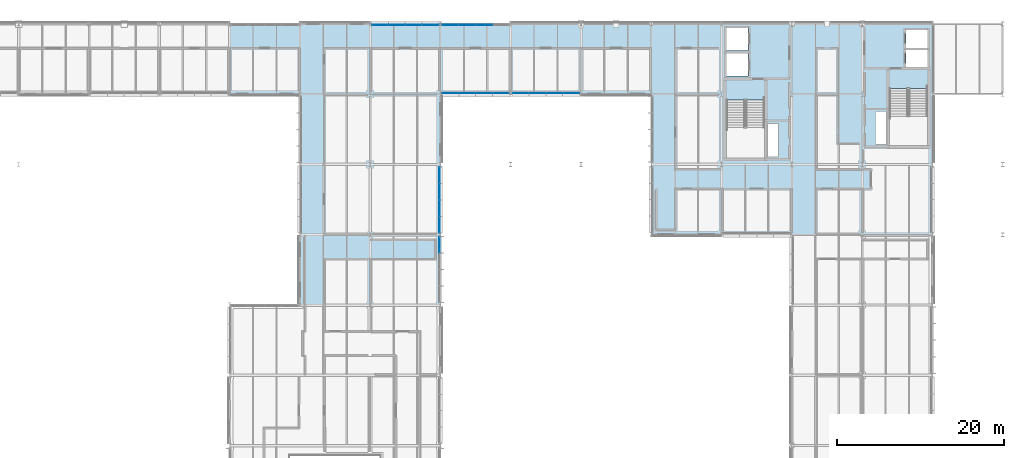
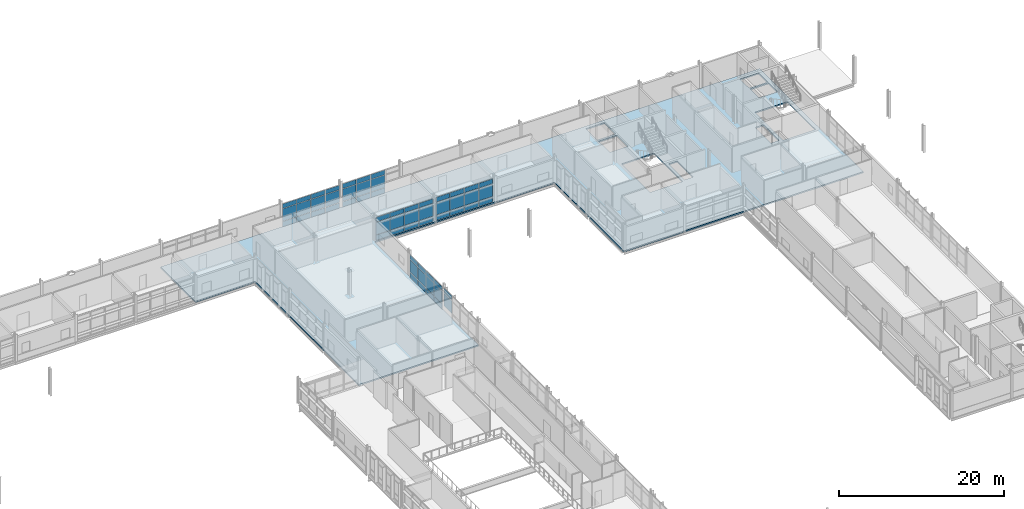
# One storey, part 101 of 131: 59 plates, 1 slab, 6 elements without a shape of their own.
"""IFC4 building model written with IfcOpenShell, lengths in metres."""

from ifc_helpers import new_model, si_unit, direction, frame, origin, origin_2d, place, context, subcontext, project, spatial, polyline, rectangle, outline, extrude, material, layer, layer_set, type_object, element, aggregate, save


model = new_model("IFC4")

# Units and contexts
model_context = context("Model", 3, precision=1e-05, world=origin(), true_north=direction((0.0, 1.0)))
body_context = subcontext(model_context, "Body", "Model", "MODEL_VIEW")
ifc_project = project(units=[si_unit("LENGTHUNIT", "METRE"), si_unit("AREAUNIT", "SQUARE_METRE"), si_unit("VOLUMEUNIT", "CUBIC_METRE"), si_unit("PLANEANGLEUNIT", "RADIAN"), si_unit("MASSUNIT", "GRAM", prefix="KILO")], contexts=[model_context])

# Site, building, storey
site_placement = place(None, origin())
site = spatial("IfcSite", under=ifc_project, at=site_placement, CompositionType="ELEMENT")
building_placement = place(site_placement, origin())
building = spatial("IfcBuilding", under=site, at=building_placement, Name="Mersafa Astral City Hall", CompositionType="ELEMENT")
storey_placement = place(building_placement, frame((0.0, 0.0, 13.949951171875)))
storey = spatial("IfcBuildingStorey", under=building, at=storey_placement, Name="L03", CompositionType="ELEMENT", Elevation=13.949951171875)

# Curtain wall, plates
ifc_material_1 = material(Name="Anodised bronze aluminium framing", Category="aluminium")
curtain_wall_type_1 = type_object("IfcCurtainWallType", Name="ENV-CW-1", PredefinedType="USERDEFINED", material=ifc_material_1)
curtain_wall_1_placement = place(storey_placement, origin())
curtain_wall_1 = element("IfcCurtainWall", 1, at=curtain_wall_1_placement, inside=storey, type_object=curtain_wall_type_1, Name="L03 Unitised solar curtain wall 156", ObjectType="UNITISED CURTAIN WALL", PredefinedType="USERDEFINED")
ifc_material_2 = material(Name="Solar control low-e double glazing", Category="glass")
ifc_layer_1 = layer(ifc_material_2, 0.028076171875, Name="Solar control low-e double glazing")
ifc_layer_set_1 = layer_set([ifc_layer_1], Name="Solar control low-e double glazing — ENV-CW-PNL-GLZ-1")
plate_type_1 = type_object("IfcPlateType", Name="ENV-CW-PNL-GLZ-1", PredefinedType="CURTAIN_PANEL", material=ifc_layer_set_1)
plate_1_placement = place(storey_placement, frame((117.47998046875, 99.602783203125, 0.8798828125), z_axis=(0.0, 0.0, 1.0), x_axis=(0.0, 1.0, 0.0)))
plate_1 = element("IfcPlate", 2, at=plate_1_placement, type_object=plate_type_1, Name="CW-1 panel 4.2", PredefinedType="CURTAIN_PANEL", context=body_context, shape_type="SweptSolid", body=[
    extrude(rectangle(XDim=1.89013671875, YDim=0.028076171875, at=origin_2d()), origin(), (0.0, 0.0, 1.0), 1.840087890625),
])
plate_2_placement = place(storey_placement, frame((117.47998046875, 99.602783203125, 2.780029296875), z_axis=(0.0, 0.0, 1.0), x_axis=(0.0, 1.0, 0.0)))
plate_2 = element("IfcPlate", 3, at=plate_2_placement, type_object=plate_type_1, Name="CW-1 panel 4.3", PredefinedType="CURTAIN_PANEL", context=body_context, shape_type="SweptSolid", body=[
    extrude(rectangle(XDim=1.89013671875, YDim=0.028076171875, at=origin_2d()), origin(), (0.0, 0.0, 1.0), 0.751953125),
])
aggregate(curtain_wall_1, [plate_1, plate_2])

curtain_wall_2_placement = place(storey_placement, origin())
curtain_wall_2 = element("IfcCurtainWall", 4, at=curtain_wall_2_placement, inside=storey, type_object=curtain_wall_type_1, Name="L03 Unitised solar curtain wall 168", ObjectType="UNITISED CURTAIN WALL", PredefinedType="USERDEFINED")
plate_3_placement = place(storey_placement, frame((122.8095703125, 125.8798828125, 0.05810546875), z_axis=(0.0, 0.0, 1.0), x_axis=(-1.0, 0.0, 0.0)))
plate_3 = element("IfcPlate", 5, at=plate_3_placement, type_object=plate_type_1, Name="CW-1 panel 2.1", PredefinedType="CURTAIN_PANEL", context=body_context, shape_type="SweptSolid", body=[
    extrude(rectangle(XDim=1.958984375, YDim=0.028076171875, at=origin_2d()), origin(), (0.0, 0.0, 1.0), 0.761962890625),
])
plate_4_placement = place(storey_placement, frame((122.8095703125, 125.8798828125, 0.8798828125), z_axis=(0.0, 0.0, 1.0), x_axis=(-1.0, 0.0, 0.0)))
plate_4 = element("IfcPlate", 6, at=plate_4_placement, type_object=plate_type_1, Name="CW-1 panel 2.2", PredefinedType="CURTAIN_PANEL", context=body_context, shape_type="SweptSolid", body=[
    extrude(rectangle(XDim=1.958984375, YDim=0.028076171875, at=origin_2d()), origin(), (0.0, 0.0, 1.0), 1.840087890625),
])
plate_5_placement = place(storey_placement, frame((122.8095703125, 125.8798828125, 2.780029296875), z_axis=(0.0, 0.0, 1.0), x_axis=(-1.0, 0.0, 0.0)))
plate_5 = element("IfcPlate", 7, at=plate_5_placement, type_object=plate_type_1, Name="CW-1 panel 2.3", PredefinedType="CURTAIN_PANEL", context=body_context, shape_type="SweptSolid", body=[
    extrude(rectangle(XDim=1.958984375, YDim=0.028076171875, at=origin_2d()), origin(), (0.0, 0.0, 1.0), 0.69189453125),
])
plate_6_placement = place(storey_placement, frame((120.79052734375, 125.8798828125, 0.05810546875), z_axis=(0.0, 0.0, 1.0), x_axis=(-1.0, 0.0, 0.0)))
plate_6 = element("IfcPlate", 8, at=plate_6_placement, type_object=plate_type_1, Name="CW-1 panel 3.1", PredefinedType="CURTAIN_PANEL", context=body_context, shape_type="SweptSolid", body=[
    extrude(rectangle(XDim=1.958984375, YDim=0.028076171875, at=origin_2d()), origin(), (0.0, 0.0, 1.0), 0.761962890625),
])
plate_7_placement = place(storey_placement, frame((120.79052734375, 125.8798828125, 0.8798828125), z_axis=(0.0, 0.0, 1.0), x_axis=(-1.0, 0.0, 0.0)))
plate_7 = element("IfcPlate", 9, at=plate_7_placement, type_object=plate_type_1, Name="CW-1 panel 3.2", PredefinedType="CURTAIN_PANEL", context=body_context, shape_type="SweptSolid", body=[
    extrude(rectangle(XDim=1.958984375, YDim=0.028076171875, at=origin_2d()), origin(), (0.0, 0.0, 1.0), 1.840087890625),
])
plate_8_placement = place(storey_placement, frame((120.79052734375, 125.8798828125, 2.780029296875), z_axis=(0.0, 0.0, 1.0), x_axis=(-1.0, 0.0, 0.0)))
plate_8 = element("IfcPlate", 10, at=plate_8_placement, type_object=plate_type_1, Name="CW-1 panel 3.3", PredefinedType="CURTAIN_PANEL", context=body_context, shape_type="SweptSolid", body=[
    extrude(rectangle(XDim=1.958984375, YDim=0.028076171875, at=origin_2d()), origin(), (0.0, 0.0, 1.0), 0.69189453125),
])
plate_9_placement = place(storey_placement, frame((118.78662109375, 125.8798828125, 0.05810546875), z_axis=(0.0, 0.0, 1.0), x_axis=(-1.0, 0.0, 0.0)))
plate_9 = element("IfcPlate", 11, at=plate_9_placement, type_object=plate_type_1, Name="CW-1 panel 4.1", PredefinedType="CURTAIN_PANEL", context=body_context, shape_type="SweptSolid", body=[
    extrude(rectangle(XDim=1.928955078125, YDim=0.028076171875, at=origin_2d()), origin(), (0.0, 0.0, 1.0), 0.761962890625),
])
plate_10_placement = place(storey_placement, frame((118.78662109375, 125.8798828125, 0.8798828125), z_axis=(0.0, 0.0, 1.0), x_axis=(-1.0, 0.0, 0.0)))
plate_10 = element("IfcPlate", 12, at=plate_10_placement, type_object=plate_type_1, Name="CW-1 panel 4.2", PredefinedType="CURTAIN_PANEL", context=body_context, shape_type="SweptSolid", body=[
    extrude(rectangle(XDim=1.928955078125, YDim=0.028076171875, at=origin_2d()), origin(), (0.0, 0.0, 1.0), 1.840087890625),
])
plate_11_placement = place(storey_placement, frame((118.78662109375, 125.8798828125, 2.780029296875), z_axis=(0.0, 0.0, 1.0), x_axis=(-1.0, 0.0, 0.0)))
plate_11 = element("IfcPlate", 13, at=plate_11_placement, type_object=plate_type_1, Name="CW-1 panel 4.3", PredefinedType="CURTAIN_PANEL", context=body_context, shape_type="SweptSolid", body=[
    extrude(rectangle(XDim=1.928955078125, YDim=0.028076171875, at=origin_2d()), origin(), (0.0, 0.0, 1.0), 0.69189453125),
])
aggregate(curtain_wall_2, [plate_3, plate_4, plate_5, plate_6, plate_7, plate_8, plate_9, plate_10, plate_11])

curtain_wall_type_2 = type_object("IfcCurtainWallType", Name="ENV-CW-2", PredefinedType="USERDEFINED", material=ifc_material_1)
curtain_wall_3_placement = place(storey_placement, origin())
curtain_wall_3 = element("IfcCurtainWall", 14, at=curtain_wall_3_placement, inside=storey, type_object=curtain_wall_type_2, Name="L03 Unitised solar curtain wall 157", ObjectType="UNITISED CURTAIN WALL", PredefinedType="USERDEFINED")
ifc_layer_2 = layer(ifc_material_2, 0.031982421875, Name="Solar control low-e double glazing")
ifc_layer_set_2 = layer_set([ifc_layer_2], Name="Solar control low-e double glazing — ENV-CW-PNL-GLZ-2")
plate_type_2 = type_object("IfcPlateType", Name="ENV-CW-PNL-GLZ-2", PredefinedType="CURTAIN_PANEL", material=ifc_layer_set_2)
plate_12_placement = place(storey_placement, frame((117.47998046875, 102.000244140625, 0.05810546875), z_axis=(0.0, 0.0, 1.0), x_axis=(0.0, 1.0, 0.0)))
plate_12 = element("IfcPlate", 15, at=plate_12_placement, type_object=plate_type_2, Name="CW-2 panel 1.1", PredefinedType="CURTAIN_PANEL", context=body_context, shape_type="SweptSolid", body=[
    extrude(rectangle(XDim=1.896484375, YDim=0.031982421875, at=origin_2d()), origin(), (0.0, 0.0, 1.0), 0.761962890625),
])
plate_13_placement = place(storey_placement, frame((117.47998046875, 102.000244140625, 0.8798828125), z_axis=(0.0, 0.0, 1.0), x_axis=(0.0, 1.0, 0.0)))
plate_13 = element("IfcPlate", 16, at=plate_13_placement, type_object=plate_type_2, Name="CW-2 panel 1.2", PredefinedType="CURTAIN_PANEL", context=body_context, shape_type="SweptSolid", body=[
    extrude(rectangle(XDim=1.896484375, YDim=0.031982421875, at=origin_2d()), origin(), (0.0, 0.0, 1.0), 1.840087890625),
])
plate_14_placement = place(storey_placement, frame((117.47998046875, 102.000244140625, 2.780029296875), z_axis=(0.0, 0.0, 1.0), x_axis=(0.0, 1.0, 0.0)))
plate_14 = element("IfcPlate", 17, at=plate_14_placement, type_object=plate_type_2, Name="CW-2 panel 1.3", PredefinedType="CURTAIN_PANEL", context=body_context, shape_type="SweptSolid", body=[
    extrude(rectangle(XDim=1.896484375, YDim=0.031982421875, at=origin_2d()), origin(), (0.0, 0.0, 1.0), 0.662109375),
])
plate_15_placement = place(storey_placement, frame((117.47998046875, 103.9716796875, 0.05810546875), z_axis=(0.0, 0.0, 1.0), x_axis=(0.0, 1.0, 0.0)))
plate_15 = element("IfcPlate", 18, at=plate_15_placement, type_object=plate_type_2, Name="CW-2 panel 2.1", PredefinedType="CURTAIN_PANEL", context=body_context, shape_type="SweptSolid", body=[
    extrude(rectangle(XDim=1.926513671875, YDim=0.031982421875, at=origin_2d()), origin(), (0.0, 0.0, 1.0), 0.761962890625),
])
plate_16_placement = place(storey_placement, frame((117.47998046875, 103.9716796875, 0.8798828125), z_axis=(0.0, 0.0, 1.0), x_axis=(0.0, 1.0, 0.0)))
plate_16 = element("IfcPlate", 19, at=plate_16_placement, type_object=plate_type_2, Name="CW-2 panel 2.2", PredefinedType="CURTAIN_PANEL", context=body_context, shape_type="SweptSolid", body=[
    extrude(rectangle(XDim=1.926513671875, YDim=0.031982421875, at=origin_2d()), origin(), (0.0, 0.0, 1.0), 1.840087890625),
])
plate_17_placement = place(storey_placement, frame((117.47998046875, 103.9716796875, 2.780029296875), z_axis=(0.0, 0.0, 1.0), x_axis=(0.0, 1.0, 0.0)))
plate_17 = element("IfcPlate", 20, at=plate_17_placement, type_object=plate_type_2, Name="CW-2 panel 2.3", PredefinedType="CURTAIN_PANEL", context=body_context, shape_type="SweptSolid", body=[
    extrude(rectangle(XDim=1.926513671875, YDim=0.031982421875, at=origin_2d()), origin(), (0.0, 0.0, 1.0), 0.662109375),
])
plate_18_placement = place(storey_placement, frame((117.47998046875, 105.958251953125, 0.05810546875), z_axis=(0.0, 0.0, 1.0), x_axis=(0.0, 1.0, 0.0)))
plate_18 = element("IfcPlate", 21, at=plate_18_placement, type_object=plate_type_2, Name="CW-2 panel 3.1", PredefinedType="CURTAIN_PANEL", context=body_context, shape_type="SweptSolid", body=[
    extrude(rectangle(XDim=1.926513671875, YDim=0.031982421875, at=origin_2d()), origin(), (0.0, 0.0, 1.0), 0.761962890625),
])
plate_19_placement = place(storey_placement, frame((117.47998046875, 105.958251953125, 0.8798828125), z_axis=(0.0, 0.0, 1.0), x_axis=(0.0, 1.0, 0.0)))
plate_19 = element("IfcPlate", 22, at=plate_19_placement, type_object=plate_type_2, Name="CW-2 panel 3.2", PredefinedType="CURTAIN_PANEL", context=body_context, shape_type="SweptSolid", body=[
    extrude(rectangle(XDim=1.926513671875, YDim=0.031982421875, at=origin_2d()), origin(), (0.0, 0.0, 1.0), 1.840087890625),
])
plate_20_placement = place(storey_placement, frame((117.47998046875, 105.958251953125, 2.780029296875), z_axis=(0.0, 0.0, 1.0), x_axis=(0.0, 1.0, 0.0)))
plate_20 = element("IfcPlate", 23, at=plate_20_placement, type_object=plate_type_2, Name="CW-2 panel 3.3", PredefinedType="CURTAIN_PANEL", context=body_context, shape_type="SweptSolid", body=[
    extrude(rectangle(XDim=1.926513671875, YDim=0.031982421875, at=origin_2d()), origin(), (0.0, 0.0, 1.0), 0.662109375),
])
plate_21_placement = place(storey_placement, frame((117.47998046875, 107.9296875, 0.05810546875), z_axis=(0.0, 0.0, 1.0), x_axis=(0.0, 1.0, 0.0)))
plate_21 = element("IfcPlate", 24, at=plate_21_placement, type_object=plate_type_2, Name="CW-2 panel 4.1", PredefinedType="CURTAIN_PANEL", context=body_context, shape_type="SweptSolid", body=[
    extrude(rectangle(XDim=1.896484375, YDim=0.031982421875, at=origin_2d()), origin(), (0.0, 0.0, 1.0), 0.761962890625),
])
plate_22_placement = place(storey_placement, frame((117.47998046875, 107.9296875, 0.8798828125), z_axis=(0.0, 0.0, 1.0), x_axis=(0.0, 1.0, 0.0)))
plate_22 = element("IfcPlate", 25, at=plate_22_placement, type_object=plate_type_2, Name="CW-2 panel 4.2", PredefinedType="CURTAIN_PANEL", context=body_context, shape_type="SweptSolid", body=[
    extrude(rectangle(XDim=1.896484375, YDim=0.031982421875, at=origin_2d()), origin(), (0.0, 0.0, 1.0), 1.840087890625),
])
plate_23_placement = place(storey_placement, frame((117.47998046875, 107.9296875, 2.780029296875), z_axis=(0.0, 0.0, 1.0), x_axis=(0.0, 1.0, 0.0)))
plate_23 = element("IfcPlate", 26, at=plate_23_placement, type_object=plate_type_2, Name="CW-2 panel 4.3", PredefinedType="CURTAIN_PANEL", context=body_context, shape_type="SweptSolid", body=[
    extrude(rectangle(XDim=1.896484375, YDim=0.031982421875, at=origin_2d()), origin(), (0.0, 0.0, 1.0), 0.662109375),
])
aggregate(curtain_wall_3, [plate_12, plate_13, plate_14, plate_15, plate_16, plate_17, plate_18, plate_19, plate_20, plate_21, plate_22, plate_23])

curtain_wall_4_placement = place(storey_placement, origin())
curtain_wall_4 = element("IfcCurtainWall", 27, at=curtain_wall_4_placement, inside=storey, type_object=curtain_wall_type_2, Name="L03 Unitised solar curtain wall 169", ObjectType="UNITISED CURTAIN WALL", PredefinedType="USERDEFINED")
plate_24_placement = place(storey_placement, frame((116.41357421875, 125.8798828125, 0.05810546875), z_axis=(0.0, 0.0, 1.0), x_axis=(-1.0, 0.0, 0.0)))
plate_24 = element("IfcPlate", 28, at=plate_24_placement, type_object=plate_type_2, Name="CW-2 panel 1.1", PredefinedType="CURTAIN_PANEL", context=body_context, shape_type="SweptSolid", body=[
    extrude(rectangle(XDim=1.928955078125, YDim=0.031982421875, at=origin_2d()), origin(), (0.0, 0.0, 1.0), 0.761962890625),
])
plate_25_placement = place(storey_placement, frame((116.41357421875, 125.8798828125, 0.8798828125), z_axis=(0.0, 0.0, 1.0), x_axis=(-1.0, 0.0, 0.0)))
plate_25 = element("IfcPlate", 29, at=plate_25_placement, type_object=plate_type_2, Name="CW-2 panel 1.2", PredefinedType="CURTAIN_PANEL", context=body_context, shape_type="SweptSolid", body=[
    extrude(rectangle(XDim=1.928955078125, YDim=0.031982421875, at=origin_2d()), origin(), (0.0, 0.0, 1.0), 1.840087890625),
])
plate_26_placement = place(storey_placement, frame((116.41357421875, 125.8798828125, 2.780029296875), z_axis=(0.0, 0.0, 1.0), x_axis=(-1.0, 0.0, 0.0)))
plate_26 = element("IfcPlate", 30, at=plate_26_placement, type_object=plate_type_2, Name="CW-2 panel 1.3", PredefinedType="CURTAIN_PANEL", context=body_context, shape_type="SweptSolid", body=[
    extrude(rectangle(XDim=1.928955078125, YDim=0.031982421875, at=origin_2d()), origin(), (0.0, 0.0, 1.0), 0.662109375),
])
plate_27_placement = place(storey_placement, frame((114.409423828125, 125.8798828125, 0.05810546875), z_axis=(0.0, 0.0, 1.0), x_axis=(-1.0, 0.0, 0.0)))
plate_27 = element("IfcPlate", 31, at=plate_27_placement, type_object=plate_type_2, Name="CW-2 panel 2.1", PredefinedType="CURTAIN_PANEL", context=body_context, shape_type="SweptSolid", body=[
    extrude(rectangle(XDim=1.958984375, YDim=0.031982421875, at=origin_2d()), origin(), (0.0, 0.0, 1.0), 0.761962890625),
])
plate_28_placement = place(storey_placement, frame((114.409423828125, 125.8798828125, 0.8798828125), z_axis=(0.0, 0.0, 1.0), x_axis=(-1.0, 0.0, 0.0)))
plate_28 = element("IfcPlate", 32, at=plate_28_placement, type_object=plate_type_2, Name="CW-2 panel 2.2", PredefinedType="CURTAIN_PANEL", context=body_context, shape_type="SweptSolid", body=[
    extrude(rectangle(XDim=1.958984375, YDim=0.031982421875, at=origin_2d()), origin(), (0.0, 0.0, 1.0), 1.840087890625),
])
plate_29_placement = place(storey_placement, frame((114.409423828125, 125.8798828125, 2.780029296875), z_axis=(0.0, 0.0, 1.0), x_axis=(-1.0, 0.0, 0.0)))
plate_29 = element("IfcPlate", 33, at=plate_29_placement, type_object=plate_type_2, Name="CW-2 panel 2.3", PredefinedType="CURTAIN_PANEL", context=body_context, shape_type="SweptSolid", body=[
    extrude(rectangle(XDim=1.958984375, YDim=0.031982421875, at=origin_2d()), origin(), (0.0, 0.0, 1.0), 0.662109375),
])
plate_30_placement = place(storey_placement, frame((112.390380859375, 125.8798828125, 0.05810546875), z_axis=(0.0, 0.0, 1.0), x_axis=(-1.0, 0.0, 0.0)))
plate_30 = element("IfcPlate", 34, at=plate_30_placement, type_object=plate_type_2, Name="CW-2 panel 3.1", PredefinedType="CURTAIN_PANEL", context=body_context, shape_type="SweptSolid", body=[
    extrude(rectangle(XDim=1.958984375, YDim=0.031982421875, at=origin_2d()), origin(), (0.0, 0.0, 1.0), 0.761962890625),
])
plate_31_placement = place(storey_placement, frame((112.390380859375, 125.8798828125, 0.8798828125), z_axis=(0.0, 0.0, 1.0), x_axis=(-1.0, 0.0, 0.0)))
plate_31 = element("IfcPlate", 35, at=plate_31_placement, type_object=plate_type_2, Name="CW-2 panel 3.2", PredefinedType="CURTAIN_PANEL", context=body_context, shape_type="SweptSolid", body=[
    extrude(rectangle(XDim=1.958984375, YDim=0.031982421875, at=origin_2d()), origin(), (0.0, 0.0, 1.0), 1.840087890625),
])
plate_32_placement = place(storey_placement, frame((112.390380859375, 125.8798828125, 2.780029296875), z_axis=(0.0, 0.0, 1.0), x_axis=(-1.0, 0.0, 0.0)))
plate_32 = element("IfcPlate", 36, at=plate_32_placement, type_object=plate_type_2, Name="CW-2 panel 3.3", PredefinedType="CURTAIN_PANEL", context=body_context, shape_type="SweptSolid", body=[
    extrude(rectangle(XDim=1.958984375, YDim=0.031982421875, at=origin_2d()), origin(), (0.0, 0.0, 1.0), 0.662109375),
])
plate_33_placement = place(storey_placement, frame((110.386474609375, 125.8798828125, 0.05810546875), z_axis=(0.0, 0.0, 1.0), x_axis=(-1.0, 0.0, 0.0)))
plate_33 = element("IfcPlate", 37, at=plate_33_placement, type_object=plate_type_2, Name="CW-2 panel 4.1", PredefinedType="CURTAIN_PANEL", context=body_context, shape_type="SweptSolid", body=[
    extrude(rectangle(XDim=1.928955078125, YDim=0.031982421875, at=origin_2d()), origin(), (0.0, 0.0, 1.0), 0.761962890625),
])
plate_34_placement = place(storey_placement, frame((110.386474609375, 125.8798828125, 0.8798828125), z_axis=(0.0, 0.0, 1.0), x_axis=(-1.0, 0.0, 0.0)))
plate_34 = element("IfcPlate", 38, at=plate_34_placement, type_object=plate_type_2, Name="CW-2 panel 4.2", PredefinedType="CURTAIN_PANEL", context=body_context, shape_type="SweptSolid", body=[
    extrude(rectangle(XDim=1.928955078125, YDim=0.031982421875, at=origin_2d()), origin(), (0.0, 0.0, 1.0), 1.840087890625),
])
plate_35_placement = place(storey_placement, frame((110.386474609375, 125.8798828125, 2.780029296875), z_axis=(0.0, 0.0, 1.0), x_axis=(-1.0, 0.0, 0.0)))
plate_35 = element("IfcPlate", 39, at=plate_35_placement, type_object=plate_type_2, Name="CW-2 panel 4.3", PredefinedType="CURTAIN_PANEL", context=body_context, shape_type="SweptSolid", body=[
    extrude(rectangle(XDim=1.928955078125, YDim=0.031982421875, at=origin_2d()), origin(), (0.0, 0.0, 1.0), 0.662109375),
])
aggregate(curtain_wall_4, [plate_24, plate_25, plate_26, plate_27, plate_28, plate_29, plate_30, plate_31, plate_32, plate_33, plate_34, plate_35])

curtain_wall_type_3 = type_object("IfcCurtainWallType", Name="ENV-CW-3", PredefinedType="USERDEFINED", material=ifc_material_1)
curtain_wall_5_placement = place(storey_placement, origin())
curtain_wall_5 = element("IfcCurtainWall", 40, at=curtain_wall_5_placement, inside=storey, type_object=curtain_wall_type_3, Name="L03 Unitised solar curtain wall 158", ObjectType="UNITISED CURTAIN WALL", PredefinedType="USERDEFINED")
ifc_layer_3 = layer(ifc_material_2, 0.035888671875, Name="Solar control low-e double glazing")
ifc_layer_set_3 = layer_set([ifc_layer_3], Name="Solar control low-e double glazing — ENV-CW-PNL-GLZ-3")
plate_type_3 = type_object("IfcPlateType", Name="ENV-CW-PNL-GLZ-3", PredefinedType="CURTAIN_PANEL", material=ifc_layer_set_3)
plate_36_placement = place(storey_placement, frame((118.78662109375, 117.719970703125, 0.05810546875), z_axis=(0.0, 0.0, 1.0), x_axis=(1.0, 0.0, 0.0)))
plate_36 = element("IfcPlate", 41, at=plate_36_placement, type_object=plate_type_3, Name="CW-3 panel 1.1", PredefinedType="CURTAIN_PANEL", context=body_context, shape_type="SweptSolid", body=[
    extrude(rectangle(XDim=1.928955078125, YDim=0.035888671875, at=origin_2d()), origin(), (0.0, 0.0, 1.0), 0.761962890625),
])
plate_37_placement = place(storey_placement, frame((118.78662109375, 117.719970703125, 0.8798828125), z_axis=(0.0, 0.0, 1.0), x_axis=(1.0, 0.0, 0.0)))
plate_37 = element("IfcPlate", 42, at=plate_37_placement, type_object=plate_type_3, Name="CW-3 panel 1.2", PredefinedType="CURTAIN_PANEL", context=body_context, shape_type="SweptSolid", body=[
    extrude(rectangle(XDim=1.928955078125, YDim=0.035888671875, at=origin_2d()), origin(), (0.0, 0.0, 1.0), 1.840087890625),
])
plate_38_placement = place(storey_placement, frame((118.78662109375, 117.719970703125, 2.780029296875), z_axis=(0.0, 0.0, 1.0), x_axis=(1.0, 0.0, 0.0)))
plate_38 = element("IfcPlate", 43, at=plate_38_placement, type_object=plate_type_3, Name="CW-3 panel 1.3", PredefinedType="CURTAIN_PANEL", context=body_context, shape_type="SweptSolid", body=[
    extrude(rectangle(XDim=1.928955078125, YDim=0.035888671875, at=origin_2d()), origin(), (0.0, 0.0, 1.0), 0.662109375),
])
plate_39_placement = place(storey_placement, frame((120.79052734375, 117.719970703125, 0.05810546875), z_axis=(0.0, 0.0, 1.0), x_axis=(1.0, 0.0, 0.0)))
plate_39 = element("IfcPlate", 44, at=plate_39_placement, type_object=plate_type_3, Name="CW-3 panel 2.1", PredefinedType="CURTAIN_PANEL", context=body_context, shape_type="SweptSolid", body=[
    extrude(rectangle(XDim=1.958984375, YDim=0.035888671875, at=origin_2d()), origin(), (0.0, 0.0, 1.0), 0.761962890625),
])
plate_40_placement = place(storey_placement, frame((120.79052734375, 117.719970703125, 0.8798828125), z_axis=(0.0, 0.0, 1.0), x_axis=(1.0, 0.0, 0.0)))
plate_40 = element("IfcPlate", 45, at=plate_40_placement, type_object=plate_type_3, Name="CW-3 panel 2.2", PredefinedType="CURTAIN_PANEL", context=body_context, shape_type="SweptSolid", body=[
    extrude(rectangle(XDim=1.958984375, YDim=0.035888671875, at=origin_2d()), origin(), (0.0, 0.0, 1.0), 1.840087890625),
])
plate_41_placement = place(storey_placement, frame((120.79052734375, 117.719970703125, 2.780029296875), z_axis=(0.0, 0.0, 1.0), x_axis=(1.0, 0.0, 0.0)))
plate_41 = element("IfcPlate", 46, at=plate_41_placement, type_object=plate_type_3, Name="CW-3 panel 2.3", PredefinedType="CURTAIN_PANEL", context=body_context, shape_type="SweptSolid", body=[
    extrude(rectangle(XDim=1.958984375, YDim=0.035888671875, at=origin_2d()), origin(), (0.0, 0.0, 1.0), 0.662109375),
])
plate_42_placement = place(storey_placement, frame((122.8095703125, 117.719970703125, 0.05810546875), z_axis=(0.0, 0.0, 1.0), x_axis=(1.0, 0.0, 0.0)))
plate_42 = element("IfcPlate", 47, at=plate_42_placement, type_object=plate_type_3, Name="CW-3 panel 3.1", PredefinedType="CURTAIN_PANEL", context=body_context, shape_type="SweptSolid", body=[
    extrude(rectangle(XDim=1.958984375, YDim=0.035888671875, at=origin_2d()), origin(), (0.0, 0.0, 1.0), 0.761962890625),
])
plate_43_placement = place(storey_placement, frame((122.8095703125, 117.719970703125, 0.8798828125), z_axis=(0.0, 0.0, 1.0), x_axis=(1.0, 0.0, 0.0)))
plate_43 = element("IfcPlate", 48, at=plate_43_placement, type_object=plate_type_3, Name="CW-3 panel 3.2", PredefinedType="CURTAIN_PANEL", context=body_context, shape_type="SweptSolid", body=[
    extrude(rectangle(XDim=1.958984375, YDim=0.035888671875, at=origin_2d()), origin(), (0.0, 0.0, 1.0), 1.840087890625),
])
plate_44_placement = place(storey_placement, frame((122.8095703125, 117.719970703125, 2.780029296875), z_axis=(0.0, 0.0, 1.0), x_axis=(1.0, 0.0, 0.0)))
plate_44 = element("IfcPlate", 49, at=plate_44_placement, type_object=plate_type_3, Name="CW-3 panel 3.3", PredefinedType="CURTAIN_PANEL", context=body_context, shape_type="SweptSolid", body=[
    extrude(rectangle(XDim=1.958984375, YDim=0.035888671875, at=origin_2d()), origin(), (0.0, 0.0, 1.0), 0.662109375),
])
plate_45_placement = place(storey_placement, frame((124.8134765625, 117.719970703125, 0.05810546875), z_axis=(0.0, 0.0, 1.0), x_axis=(1.0, 0.0, 0.0)))
plate_45 = element("IfcPlate", 50, at=plate_45_placement, type_object=plate_type_3, Name="CW-3 panel 4.1", PredefinedType="CURTAIN_PANEL", context=body_context, shape_type="SweptSolid", body=[
    extrude(rectangle(XDim=1.928955078125, YDim=0.035888671875, at=origin_2d()), origin(), (0.0, 0.0, 1.0), 0.761962890625),
])
plate_46_placement = place(storey_placement, frame((124.8134765625, 117.719970703125, 0.8798828125), z_axis=(0.0, 0.0, 1.0), x_axis=(1.0, 0.0, 0.0)))
plate_46 = element("IfcPlate", 51, at=plate_46_placement, type_object=plate_type_3, Name="CW-3 panel 4.2", PredefinedType="CURTAIN_PANEL", context=body_context, shape_type="SweptSolid", body=[
    extrude(rectangle(XDim=1.928955078125, YDim=0.035888671875, at=origin_2d()), origin(), (0.0, 0.0, 1.0), 1.840087890625),
])
plate_47_placement = place(storey_placement, frame((124.8134765625, 117.719970703125, 2.780029296875), z_axis=(0.0, 0.0, 1.0), x_axis=(1.0, 0.0, 0.0)))
plate_47 = element("IfcPlate", 52, at=plate_47_placement, type_object=plate_type_3, Name="CW-3 panel 4.3", PredefinedType="CURTAIN_PANEL", context=body_context, shape_type="SweptSolid", body=[
    extrude(rectangle(XDim=1.928955078125, YDim=0.035888671875, at=origin_2d()), origin(), (0.0, 0.0, 1.0), 0.662109375),
])
aggregate(curtain_wall_5, [plate_36, plate_37, plate_38, plate_39, plate_40, plate_41, plate_42, plate_43, plate_44, plate_45, plate_46, plate_47])

curtain_wall_type_4 = type_object("IfcCurtainWallType", Name="ENV-CW-4", PredefinedType="USERDEFINED", material=ifc_material_1)
curtain_wall_6_placement = place(storey_placement, origin())
curtain_wall_6 = element("IfcCurtainWall", 53, at=curtain_wall_6_placement, inside=storey, type_object=curtain_wall_type_4, Name="L03 Unitised solar curtain wall 159", ObjectType="UNITISED CURTAIN WALL", PredefinedType="USERDEFINED")
ifc_layer_4 = layer(ifc_material_2, 0.0400390625, Name="Solar control low-e double glazing")
ifc_layer_set_4 = layer_set([ifc_layer_4], Name="Solar control low-e double glazing — ENV-CW-PNL-GLZ-4")
plate_type_4 = type_object("IfcPlateType", Name="ENV-CW-PNL-GLZ-4", PredefinedType="CURTAIN_PANEL", material=ifc_layer_set_4)
plate_48_placement = place(storey_placement, frame((127.1865234375, 117.719970703125, 0.05810546875), z_axis=(0.0, 0.0, 1.0), x_axis=(1.0, 0.0, 0.0)))
plate_48 = element("IfcPlate", 54, at=plate_48_placement, type_object=plate_type_4, Name="CW-4 panel 1.1", PredefinedType="CURTAIN_PANEL", context=body_context, shape_type="SweptSolid", body=[
    extrude(rectangle(XDim=1.928955078125, YDim=0.0400390625, at=origin_2d()), origin(), (0.0, 0.0, 1.0), 0.761962890625),
])
plate_49_placement = place(storey_placement, frame((127.1865234375, 117.719970703125, 0.8798828125), z_axis=(0.0, 0.0, 1.0), x_axis=(1.0, 0.0, 0.0)))
plate_49 = element("IfcPlate", 55, at=plate_49_placement, type_object=plate_type_4, Name="CW-4 panel 1.2", PredefinedType="CURTAIN_PANEL", context=body_context, shape_type="SweptSolid", body=[
    extrude(rectangle(XDim=1.928955078125, YDim=0.0400390625, at=origin_2d()), origin(), (0.0, 0.0, 1.0), 1.840087890625),
])
plate_50_placement = place(storey_placement, frame((127.1865234375, 117.719970703125, 2.780029296875), z_axis=(0.0, 0.0, 1.0), x_axis=(1.0, 0.0, 0.0)))
plate_50 = element("IfcPlate", 56, at=plate_50_placement, type_object=plate_type_4, Name="CW-4 panel 1.3", PredefinedType="CURTAIN_PANEL", context=body_context, shape_type="SweptSolid", body=[
    extrude(rectangle(XDim=1.928955078125, YDim=0.0400390625, at=origin_2d()), origin(), (0.0, 0.0, 1.0), 0.69189453125),
])
plate_51_placement = place(storey_placement, frame((129.1904296875, 117.719970703125, 0.05810546875), z_axis=(0.0, 0.0, 1.0), x_axis=(1.0, 0.0, 0.0)))
plate_51 = element("IfcPlate", 57, at=plate_51_placement, type_object=plate_type_4, Name="CW-4 panel 2.1", PredefinedType="CURTAIN_PANEL", context=body_context, shape_type="SweptSolid", body=[
    extrude(rectangle(XDim=1.958984375, YDim=0.0400390625, at=origin_2d()), origin(), (0.0, 0.0, 1.0), 0.761962890625),
])
plate_52_placement = place(storey_placement, frame((129.1904296875, 117.719970703125, 0.8798828125), z_axis=(0.0, 0.0, 1.0), x_axis=(1.0, 0.0, 0.0)))
plate_52 = element("IfcPlate", 58, at=plate_52_placement, type_object=plate_type_4, Name="CW-4 panel 2.2", PredefinedType="CURTAIN_PANEL", context=body_context, shape_type="SweptSolid", body=[
    extrude(rectangle(XDim=1.958984375, YDim=0.0400390625, at=origin_2d()), origin(), (0.0, 0.0, 1.0), 1.840087890625),
])
plate_53_placement = place(storey_placement, frame((129.1904296875, 117.719970703125, 2.780029296875), z_axis=(0.0, 0.0, 1.0), x_axis=(1.0, 0.0, 0.0)))
plate_53 = element("IfcPlate", 59, at=plate_53_placement, type_object=plate_type_4, Name="CW-4 panel 2.3", PredefinedType="CURTAIN_PANEL", context=body_context, shape_type="SweptSolid", body=[
    extrude(rectangle(XDim=1.958984375, YDim=0.0400390625, at=origin_2d()), origin(), (0.0, 0.0, 1.0), 0.69189453125),
])
plate_54_placement = place(storey_placement, frame((131.20947265625, 117.719970703125, 0.05810546875), z_axis=(0.0, 0.0, 1.0), x_axis=(1.0, 0.0, 0.0)))
plate_54 = element("IfcPlate", 60, at=plate_54_placement, type_object=plate_type_4, Name="CW-4 panel 3.1", PredefinedType="CURTAIN_PANEL", context=body_context, shape_type="SweptSolid", body=[
    extrude(rectangle(XDim=1.958984375, YDim=0.0400390625, at=origin_2d()), origin(), (0.0, 0.0, 1.0), 0.761962890625),
])
plate_55_placement = place(storey_placement, frame((131.20947265625, 117.719970703125, 0.8798828125), z_axis=(0.0, 0.0, 1.0), x_axis=(1.0, 0.0, 0.0)))
plate_55 = element("IfcPlate", 61, at=plate_55_placement, type_object=plate_type_4, Name="CW-4 panel 3.2", PredefinedType="CURTAIN_PANEL", context=body_context, shape_type="SweptSolid", body=[
    extrude(rectangle(XDim=1.958984375, YDim=0.0400390625, at=origin_2d()), origin(), (0.0, 0.0, 1.0), 1.840087890625),
])
plate_56_placement = place(storey_placement, frame((131.20947265625, 117.719970703125, 2.780029296875), z_axis=(0.0, 0.0, 1.0), x_axis=(1.0, 0.0, 0.0)))
plate_56 = element("IfcPlate", 62, at=plate_56_placement, type_object=plate_type_4, Name="CW-4 panel 3.3", PredefinedType="CURTAIN_PANEL", context=body_context, shape_type="SweptSolid", body=[
    extrude(rectangle(XDim=1.958984375, YDim=0.0400390625, at=origin_2d()), origin(), (0.0, 0.0, 1.0), 0.69189453125),
])
plate_57_placement = place(storey_placement, frame((133.21337890625, 117.719970703125, 0.05810546875), z_axis=(0.0, 0.0, 1.0), x_axis=(1.0, 0.0, 0.0)))
plate_57 = element("IfcPlate", 63, at=plate_57_placement, type_object=plate_type_4, Name="CW-4 panel 4.1", PredefinedType="CURTAIN_PANEL", context=body_context, shape_type="SweptSolid", body=[
    extrude(rectangle(XDim=1.928955078125, YDim=0.0400390625, at=origin_2d()), origin(), (0.0, 0.0, 1.0), 0.761962890625),
])
plate_58_placement = place(storey_placement, frame((133.21337890625, 117.719970703125, 0.8798828125), z_axis=(0.0, 0.0, 1.0), x_axis=(1.0, 0.0, 0.0)))
plate_58 = element("IfcPlate", 64, at=plate_58_placement, type_object=plate_type_4, Name="CW-4 panel 4.2", PredefinedType="CURTAIN_PANEL", context=body_context, shape_type="SweptSolid", body=[
    extrude(rectangle(XDim=1.928955078125, YDim=0.0400390625, at=origin_2d()), origin(), (0.0, 0.0, 1.0), 1.840087890625),
])
plate_59_placement = place(storey_placement, frame((133.21337890625, 117.719970703125, 2.780029296875), z_axis=(0.0, 0.0, 1.0), x_axis=(1.0, 0.0, 0.0)))
plate_59 = element("IfcPlate", 65, at=plate_59_placement, type_object=plate_type_4, Name="CW-4 panel 4.3", PredefinedType="CURTAIN_PANEL", context=body_context, shape_type="SweptSolid", body=[
    extrude(rectangle(XDim=1.928955078125, YDim=0.0400390625, at=origin_2d()), origin(), (0.0, 0.0, 1.0), 0.69189453125),
])
aggregate(curtain_wall_6, [plate_48, plate_49, plate_50, plate_51, plate_52, plate_53, plate_54, plate_55, plate_56, plate_57, plate_58, plate_59])

# Slab
ifc_material_3 = material(Name="Concrete C35/45", Category="concrete")
ifc_layer_5 = layer(ifc_material_3, 0.199951171875, Name="Concrete C35/45")
ifc_layer_set_5 = layer_set([ifc_layer_5], Name="Concrete C35/45 — STR-SLAB-FLR-200")
slab_type = type_object("IfcSlabType", Name="STR-SLAB-FLR-200", PredefinedType="FLOOR", material=ifc_layer_set_5)
slab_placement = place(storey_placement, frame((0.0, 0.0, -0.199951171875)))
element("IfcSlab", 66, at=slab_placement, inside=storey, type_object=slab_type, Name="L03 V6 structural floor slab 1", PredefinedType="FLOOR", context=body_context, shape_type="SweptSolid", body=[
    extrude(outline(polyline([(92.39990234375, 117.60009765625), (92.39990234375, 126.0), (100.800048828125, 126.0), (109.199951171875, 126.0), (117.60009765625, 126.0), (126.0, 126.0), (134.39990234375, 126.0), (142.800048828125, 126.0), (151.199951171875, 126.0), (159.60009765625, 126.0), (168.0, 126.0), (176.39990234375, 126.0), (176.39990234375, 117.60009765625), (176.39990234375, 109.199951171875), (176.39990234375, 100.800048828125), (168.0, 100.800048828125), (159.60009765625, 100.800048828125), (151.199951171875, 100.800048828125), (142.800048828125, 100.800048828125), (142.800048828125, 109.199951171875), (142.800048828125, 117.60009765625), (134.39990234375, 117.60009765625), (126.0, 117.60009765625), (117.60009765625, 117.60009765625), (117.60009765625, 109.199951171875), (117.60009765625, 100.800048828125), (117.60009765625, 92.39990234375), (109.199951171875, 92.39990234375), (100.800048828125, 92.39990234375), (100.800048828125, 100.800048828125), (100.800048828125, 109.199951171875), (100.800048828125, 117.60009765625), (92.39990234375, 117.60009765625)]), holes=[polyline([(157.929931640625, 110.14990234375), (157.929931640625, 114.050048828125), (156.75, 114.050048828125), (156.75, 110.14990234375), (157.929931640625, 110.14990234375)]), polyline([(151.780029296875, 116.89990234375), (151.780029296875, 109.949951171875), (156.340087890625, 109.949951171875), (156.340087890625, 116.89990234375), (151.780029296875, 116.89990234375)]), polyline([(170.85009765625, 115.449951171875), (169.669921875, 115.449951171875), (169.669921875, 111.64990234375), (170.85009765625, 111.64990234375), (170.85009765625, 115.449951171875)]), polyline([(171.260009765625, 118.260009765625), (171.260009765625, 111.449951171875), (175.820068359375, 111.449951171875), (175.820068359375, 118.260009765625), (171.260009765625, 118.260009765625)]), polyline([(154.3798828125, 119.75), (154.3798828125, 122.449951171875), (151.780029296875, 122.449951171875), (151.780029296875, 119.75), (154.3798828125, 119.75)]), polyline([(175.820068359375, 122.860107421875), (173.219970703125, 122.860107421875), (173.219970703125, 120.679931640625), (175.820068359375, 120.679931640625), (175.820068359375, 122.860107421875)]), polyline([(154.3798828125, 122.800048828125), (154.3798828125, 125.5), (151.780029296875, 125.5), (151.780029296875, 122.800048828125), (154.3798828125, 122.800048828125)]), polyline([(175.820068359375, 123.080078125), (175.820068359375, 125.260009765625), (173.219970703125, 125.260009765625), (173.219970703125, 123.080078125), (175.820068359375, 123.080078125)])]), origin(), (0.0, 0.0, 1.0), 0.199951171875),
])

save(model, "model.ifc")
